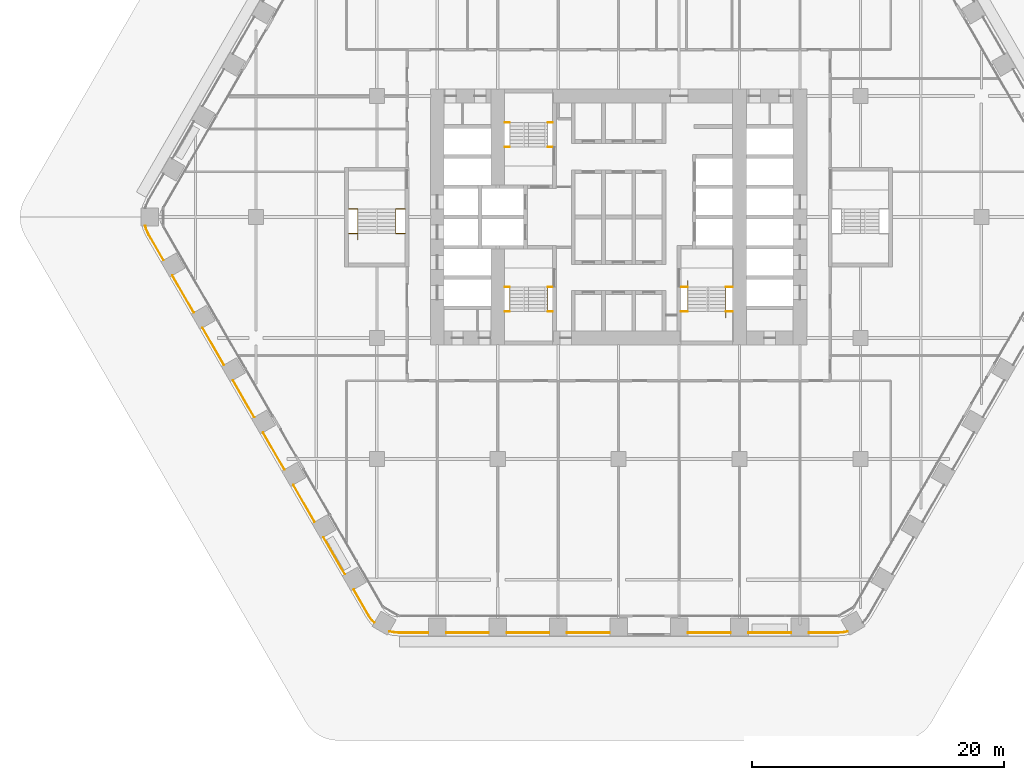
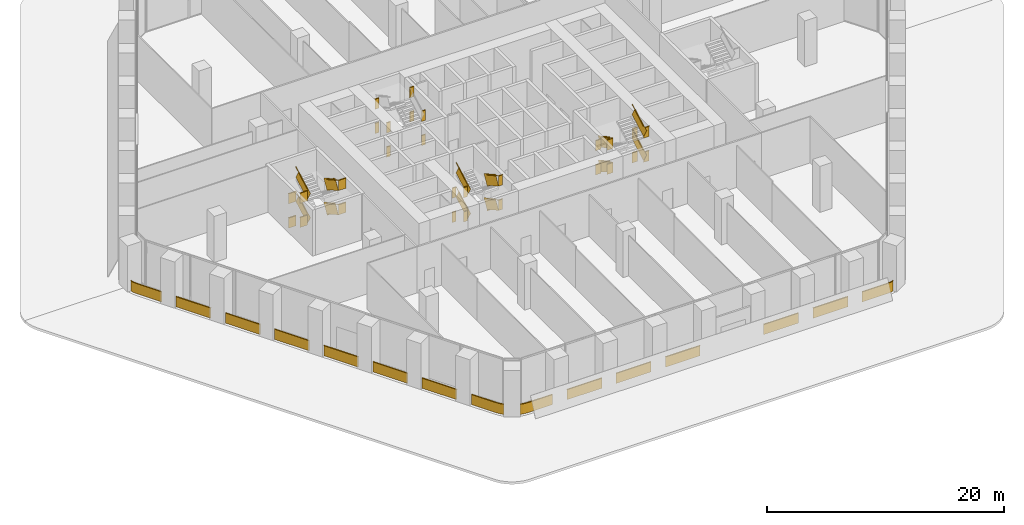
# One storey, part 28 of 29: 9 railings.
"""IFC4 building model written with IfcOpenShell, lengths in metres."""

from ifc_helpers import new_model, si_unit, direction, frame, frame_2d, origin, origin_2d, place, context, subcontext, project, spatial, rectangle, extrude, material, type_object, element, save


model = new_model("IFC4")

# Units and contexts
model_context = context("Model", 3, precision=1e-05, world=origin(), true_north=direction((0.0, 1.0)))
body_context = subcontext(model_context, "Body", "Model", "MODEL_VIEW")
ifc_project = project(units=[si_unit("LENGTHUNIT", "METRE"), si_unit("AREAUNIT", "SQUARE_METRE"), si_unit("VOLUMEUNIT", "CUBIC_METRE"), si_unit("PLANEANGLEUNIT", "RADIAN"), si_unit("MASSUNIT", "GRAM", prefix="KILO")], contexts=[model_context])

# Site, building, storey
site_placement = place(None, origin())
site = spatial("IfcSite", under=ifc_project, at=site_placement, CompositionType="ELEMENT")
building_placement = place(site_placement, origin())
building = spatial("IfcBuilding", under=site, at=building_placement, Name="Kolab Exchange Tower", CompositionType="ELEMENT")
storey_placement = place(building_placement, frame((0.0, 0.0, 17.39990234375)))
storey = spatial("IfcBuildingStorey", under=building, at=storey_placement, Name="L03", CompositionType="ELEMENT", Elevation=17.39990234375)

# Railings
ifc_material_1 = material(Name="Stainless steel 316", Category="steel")
railing_type_1 = type_object("IfcRailingType", Name="GUARD 1100", PredefinedType="GUARDRAIL", material=ifc_material_1)
railing_1_placement = place(storey_placement, frame((-9.050048828125, 5.550048828125, 0.0)))
element("IfcRailing", 1, at=railing_1_placement, inside=storey, type_object=railing_type_1, Name="Guard ST1", PredefinedType="GUARDRAIL", context=body_context, shape_type="SweptSolid", body=[
    extrude(rectangle(XDim=0.05, YDim=0.05, at=origin_2d()), frame((0.0, 0.0, 1.0751953125), z_axis=(1.0, 0.0, 0.0), x_axis=(0.0, 1.0, 0.0)), (0.0, 0.0, 1.0), 0.39013671875),
    extrude(rectangle(XDim=0.012, YDim=1.05009765625, at=frame_2d((0.0, 0.525146484375))), frame((0.0, 0.0, 0.0), z_axis=(1.0, 0.0, 0.0), x_axis=(0.0, 1.0, 0.0)), (0.0, 0.0, 1.0), 0.39013671875),
    extrude(rectangle(XDim=0.05, YDim=0.05, at=origin_2d()), frame((3.41015625, 0.0, 1.0751953125), z_axis=(1.0, 0.0, 0.0), x_axis=(0.0, 1.0, 0.0)), (0.0, 0.0, 1.0), 0.389892578125),
    extrude(rectangle(XDim=0.012, YDim=1.05009765625, at=frame_2d((0.0, 0.525146484375))), frame((3.41015625, 0.0, 0.0), z_axis=(1.0, 0.0, 0.0), x_axis=(0.0, 1.0, 0.0)), (0.0, 0.0, 1.0), 0.389892578125),
    extrude(rectangle(XDim=0.05, YDim=0.05, at=origin_2d()), frame((0.0, 1.9599609375, 2.3251953125), z_axis=(1.0, 0.0, 0.0), x_axis=(0.0, 1.0, 0.0)), (0.0, 0.0, 1.0), 0.39013671875),
    extrude(rectangle(XDim=0.012, YDim=1.05009765625, at=frame_2d((0.0, 0.525146484375))), frame((0.0, 1.9599609375, 1.25), z_axis=(1.0, 0.0, 0.0), x_axis=(0.0, 1.0, 0.0)), (0.0, 0.0, 1.0), 0.39013671875),
    extrude(rectangle(XDim=0.05, YDim=0.05, at=origin_2d()), frame((3.41015625, 1.9599609375, 2.3251953125), z_axis=(1.0, 0.0, 0.0), x_axis=(0.0, 1.0, 0.0)), (0.0, 0.0, 1.0), 0.389892578125),
    extrude(rectangle(XDim=0.012, YDim=1.05009765625, at=frame_2d((0.0, 0.525146484375))), frame((3.41015625, 1.9599609375, 1.25), z_axis=(1.0, 0.0, 0.0), x_axis=(0.0, 1.0, 0.0)), (0.0, 0.0, 1.0), 0.389892578125),
    extrude(rectangle(XDim=0.05, YDim=0.05, at=origin_2d()), frame((0.0, 0.0, 3.5751953125), z_axis=(1.0, 0.0, 0.0), x_axis=(0.0, 1.0, 0.0)), (0.0, 0.0, 1.0), 0.39013671875),
    extrude(rectangle(XDim=0.012, YDim=1.05009765625, at=frame_2d((0.0, 0.525146484375))), frame((0.0, 0.0, 2.5), z_axis=(1.0, 0.0, 0.0), x_axis=(0.0, 1.0, 0.0)), (0.0, 0.0, 1.0), 0.39013671875),
    extrude(rectangle(XDim=0.05, YDim=0.05, at=origin_2d()), frame((3.41015625, 0.0, 3.5751953125), z_axis=(1.0, 0.0, 0.0), x_axis=(0.0, 1.0, 0.0)), (0.0, 0.0, 1.0), 0.389892578125),
    extrude(rectangle(XDim=0.012, YDim=1.05009765625, at=frame_2d((0.0, 0.525146484375))), frame((3.41015625, 0.0, 2.5), z_axis=(1.0, 0.0, 0.0), x_axis=(0.0, 1.0, 0.0)), (0.0, 0.0, 1.0), 0.389892578125),
    extrude(rectangle(XDim=0.05, YDim=0.05, at=origin_2d()), frame((0.0, 1.9599609375, 4.8251953125), z_axis=(1.0, 0.0, 0.0), x_axis=(0.0, 1.0, 0.0)), (0.0, 0.0, 1.0), 0.39013671875),
    extrude(rectangle(XDim=0.012, YDim=1.05009765625, at=frame_2d((0.0, 0.525146484375))), frame((0.0, 1.9599609375, 3.75), z_axis=(1.0, 0.0, 0.0), x_axis=(0.0, 1.0, 0.0)), (0.0, 0.0, 1.0), 0.39013671875),
    extrude(rectangle(XDim=0.05, YDim=0.05, at=origin_2d()), frame((3.41015625, 1.9599609375, 4.8251953125), z_axis=(1.0, 0.0, 0.0), x_axis=(0.0, 1.0, 0.0)), (0.0, 0.0, 1.0), 0.389892578125),
    extrude(rectangle(XDim=0.012, YDim=1.05009765625, at=frame_2d((0.0, 0.525146484375))), frame((3.41015625, 1.9599609375, 3.75), z_axis=(1.0, 0.0, 0.0), x_axis=(0.0, 1.0, 0.0)), (0.0, 0.0, 1.0), 0.389892578125),
])
railing_2_placement = place(storey_placement, frame((-9.050048828125, -5.550048828125, 0.0)))
element("IfcRailing", 2, at=railing_2_placement, inside=storey, type_object=railing_type_1, Name="Guard ST3", PredefinedType="GUARDRAIL", context=body_context, shape_type="SweptSolid", body=[
    extrude(rectangle(XDim=0.05, YDim=0.05, at=origin_2d()), frame((0.0, 0.0, 1.0751953125), z_axis=(1.0, 0.0, 0.0), x_axis=(0.0, 1.0, 0.0)), (0.0, 0.0, 1.0), 0.39013671875),
    extrude(rectangle(XDim=0.012, YDim=1.05009765625, at=frame_2d((0.0, 0.525146484375))), frame((0.0, 0.0, 0.0), z_axis=(1.0, 0.0, 0.0), x_axis=(0.0, 1.0, 0.0)), (0.0, 0.0, 1.0), 0.39013671875),
    extrude(rectangle(XDim=0.05, YDim=0.05, at=origin_2d()), frame((3.41015625, 0.0, 1.0751953125), z_axis=(1.0, 0.0, 0.0), x_axis=(0.0, 1.0, 0.0)), (0.0, 0.0, 1.0), 0.389892578125),
    extrude(rectangle(XDim=0.012, YDim=1.05009765625, at=frame_2d((0.0, 0.525146484375))), frame((3.41015625, 0.0, 0.0), z_axis=(1.0, 0.0, 0.0), x_axis=(0.0, 1.0, 0.0)), (0.0, 0.0, 1.0), 0.389892578125),
    extrude(rectangle(XDim=0.05, YDim=0.05, at=origin_2d()), frame((0.0, -1.9599609375, 2.3251953125), z_axis=(1.0, 0.0, 0.0), x_axis=(0.0, 1.0, 0.0)), (0.0, 0.0, 1.0), 0.39013671875),
    extrude(rectangle(XDim=0.012, YDim=1.05009765625, at=frame_2d((0.0, 0.525146484375))), frame((0.0, -1.9599609375, 1.25), z_axis=(1.0, 0.0, 0.0), x_axis=(0.0, 1.0, 0.0)), (0.0, 0.0, 1.0), 0.39013671875),
    extrude(rectangle(XDim=0.05, YDim=0.05, at=origin_2d()), frame((3.41015625, -1.9599609375, 2.3251953125), z_axis=(1.0, 0.0, 0.0), x_axis=(0.0, 1.0, 0.0)), (0.0, 0.0, 1.0), 0.389892578125),
    extrude(rectangle(XDim=0.012, YDim=1.05009765625, at=frame_2d((0.0, 0.525146484375))), frame((3.41015625, -1.9599609375, 1.25), z_axis=(1.0, 0.0, 0.0), x_axis=(0.0, 1.0, 0.0)), (0.0, 0.0, 1.0), 0.389892578125),
    extrude(rectangle(XDim=0.05, YDim=0.05, at=origin_2d()), frame((0.0, 0.0, 3.5751953125), z_axis=(1.0, 0.0, 0.0), x_axis=(0.0, 1.0, 0.0)), (0.0, 0.0, 1.0), 0.39013671875),
    extrude(rectangle(XDim=0.012, YDim=1.05009765625, at=frame_2d((0.0, 0.525146484375))), frame((0.0, 0.0, 2.5), z_axis=(1.0, 0.0, 0.0), x_axis=(0.0, 1.0, 0.0)), (0.0, 0.0, 1.0), 0.39013671875),
    extrude(rectangle(XDim=0.05, YDim=0.05, at=origin_2d()), frame((3.41015625, 0.0, 3.5751953125), z_axis=(1.0, 0.0, 0.0), x_axis=(0.0, 1.0, 0.0)), (0.0, 0.0, 1.0), 0.389892578125),
    extrude(rectangle(XDim=0.012, YDim=1.05009765625, at=frame_2d((0.0, 0.525146484375))), frame((3.41015625, 0.0, 2.5), z_axis=(1.0, 0.0, 0.0), x_axis=(0.0, 1.0, 0.0)), (0.0, 0.0, 1.0), 0.389892578125),
    extrude(rectangle(XDim=0.05, YDim=0.05, at=origin_2d()), frame((0.0, -1.9599609375, 4.8251953125), z_axis=(1.0, 0.0, 0.0), x_axis=(0.0, 1.0, 0.0)), (0.0, 0.0, 1.0), 0.39013671875),
    extrude(rectangle(XDim=0.012, YDim=1.05009765625, at=frame_2d((0.0, 0.525146484375))), frame((0.0, -1.9599609375, 3.75), z_axis=(1.0, 0.0, 0.0), x_axis=(0.0, 1.0, 0.0)), (0.0, 0.0, 1.0), 0.39013671875),
    extrude(rectangle(XDim=0.05, YDim=0.05, at=origin_2d()), frame((3.41015625, -1.9599609375, 4.8251953125), z_axis=(1.0, 0.0, 0.0), x_axis=(0.0, 1.0, 0.0)), (0.0, 0.0, 1.0), 0.389892578125),
    extrude(rectangle(XDim=0.012, YDim=1.05009765625, at=frame_2d((0.0, 0.525146484375))), frame((3.41015625, -1.9599609375, 3.75), z_axis=(1.0, 0.0, 0.0), x_axis=(0.0, 1.0, 0.0)), (0.0, 0.0, 1.0), 0.389892578125),
])
railing_3_placement = place(storey_placement, frame((-5.639892578125, -5.550048828125, 0.15625)))
element("IfcRailing", 3, at=railing_3_placement, inside=storey, type_object=railing_type_1, Name="Handrail guard ST3", PredefinedType="GUARDRAIL", context=body_context, shape_type="SweptSolid", body=[
    extrude(rectangle(XDim=0.05, YDim=0.05, at=origin_2d()), frame((0.0, 0.0, 1.0751953125), z_axis=(0.0, -0.873232148454, 0.487304437602), x_axis=(1.0, 0.0, 0.0)), (0.0, 0.0, 1.0), 2.244384765625),
    extrude(rectangle(XDim=0.012, YDim=1.05009765625, at=frame_2d((0.0, 0.525146484375))), frame((0.0, 0.0, 0.0), z_axis=(0.0, -0.873232148454, 0.487304437602), x_axis=(1.0, 0.0, 0.0)), (0.0, 0.0, 1.0), 2.244384765625),
    extrude(rectangle(XDim=0.05, YDim=0.05, at=origin_2d()), frame((-3.02001953125, -1.9599609375, 2.3251953125), z_axis=(0.0, 0.873232148454, 0.487304437602), x_axis=(-1.0, 0.0, 0.0)), (0.0, 0.0, 1.0), 2.244384765625),
    extrude(rectangle(XDim=0.012, YDim=1.05009765625, at=frame_2d((0.0, 0.525146484375))), frame((-3.02001953125, -1.9599609375, 1.25), z_axis=(0.0, 0.873232148454, 0.487304437602), x_axis=(-1.0, 0.0, 0.0)), (0.0, 0.0, 1.0), 2.244384765625),
    extrude(rectangle(XDim=0.05, YDim=0.05, at=origin_2d()), frame((0.0, 0.0, 3.5751953125), z_axis=(0.0, -0.873232148454, 0.487304437602), x_axis=(1.0, 0.0, 0.0)), (0.0, 0.0, 1.0), 2.244384765625),
    extrude(rectangle(XDim=0.012, YDim=1.05009765625, at=frame_2d((0.0, 0.525146484375))), frame((0.0, 0.0, 2.5), z_axis=(0.0, -0.873232148454, 0.487304437602), x_axis=(1.0, 0.0, 0.0)), (0.0, 0.0, 1.0), 2.244384765625),
    extrude(rectangle(XDim=0.05, YDim=0.05, at=origin_2d()), frame((-3.02001953125, -1.9599609375, 4.8251953125), z_axis=(0.0, 0.873232148454, 0.487304437602), x_axis=(-1.0, 0.0, 0.0)), (0.0, 0.0, 1.0), 2.244384765625),
    extrude(rectangle(XDim=0.012, YDim=1.05009765625, at=frame_2d((0.0, 0.525146484375))), frame((-3.02001953125, -1.9599609375, 3.75), z_axis=(0.0, 0.873232148454, 0.487304437602), x_axis=(-1.0, 0.0, 0.0)), (0.0, 0.0, 1.0), 2.244384765625),
])
railing_4_placement = place(storey_placement, frame((4.949951171875, -5.550048828125, 0.0)))
element("IfcRailing", 4, at=railing_4_placement, inside=storey, type_object=railing_type_1, Name="Guard ST2", PredefinedType="GUARDRAIL", context=body_context, shape_type="SweptSolid", body=[
    extrude(rectangle(XDim=0.05, YDim=0.05, at=origin_2d()), frame((0.0, 0.0, 1.0751953125), z_axis=(1.0, 0.0, 0.0), x_axis=(0.0, 1.0, 0.0)), (0.0, 0.0, 1.0), 0.5400390625),
    extrude(rectangle(XDim=0.012, YDim=1.05009765625, at=frame_2d((0.0, 0.525146484375))), frame((0.0, 0.0, 0.0), z_axis=(1.0, 0.0, 0.0), x_axis=(0.0, 1.0, 0.0)), (0.0, 0.0, 1.0), 0.5400390625),
    extrude(rectangle(XDim=0.05, YDim=0.05, at=origin_2d()), frame((3.56005859375, 0.0, 1.0751953125), z_axis=(1.0, 0.0, 0.0), x_axis=(0.0, 1.0, 0.0)), (0.0, 0.0, 1.0), 0.5400390625),
    extrude(rectangle(XDim=0.012, YDim=1.05009765625, at=frame_2d((0.0, 0.525146484375))), frame((3.56005859375, 0.0, 0.0), z_axis=(1.0, 0.0, 0.0), x_axis=(0.0, 1.0, 0.0)), (0.0, 0.0, 1.0), 0.5400390625),
    extrude(rectangle(XDim=0.05, YDim=0.05, at=origin_2d()), frame((0.0, -1.9599609375, 2.3251953125), z_axis=(1.0, 0.0, 0.0), x_axis=(0.0, 1.0, 0.0)), (0.0, 0.0, 1.0), 0.5400390625),
    extrude(rectangle(XDim=0.012, YDim=1.05009765625, at=frame_2d((0.0, 0.525146484375))), frame((0.0, -1.9599609375, 1.25), z_axis=(1.0, 0.0, 0.0), x_axis=(0.0, 1.0, 0.0)), (0.0, 0.0, 1.0), 0.5400390625),
    extrude(rectangle(XDim=0.05, YDim=0.05, at=origin_2d()), frame((3.56005859375, -1.9599609375, 2.3251953125), z_axis=(1.0, 0.0, 0.0), x_axis=(0.0, 1.0, 0.0)), (0.0, 0.0, 1.0), 0.5400390625),
    extrude(rectangle(XDim=0.012, YDim=1.05009765625, at=frame_2d((0.0, 0.525146484375))), frame((3.56005859375, -1.9599609375, 1.25), z_axis=(1.0, 0.0, 0.0), x_axis=(0.0, 1.0, 0.0)), (0.0, 0.0, 1.0), 0.5400390625),
    extrude(rectangle(XDim=0.05, YDim=0.05, at=origin_2d()), frame((0.0, 0.0, 3.5751953125), z_axis=(1.0, 0.0, 0.0), x_axis=(0.0, 1.0, 0.0)), (0.0, 0.0, 1.0), 0.5400390625),
    extrude(rectangle(XDim=0.012, YDim=1.05009765625, at=frame_2d((0.0, 0.525146484375))), frame((0.0, 0.0, 2.5), z_axis=(1.0, 0.0, 0.0), x_axis=(0.0, 1.0, 0.0)), (0.0, 0.0, 1.0), 0.5400390625),
    extrude(rectangle(XDim=0.05, YDim=0.05, at=origin_2d()), frame((3.56005859375, 0.0, 3.5751953125), z_axis=(1.0, 0.0, 0.0), x_axis=(0.0, 1.0, 0.0)), (0.0, 0.0, 1.0), 0.5400390625),
    extrude(rectangle(XDim=0.012, YDim=1.05009765625, at=frame_2d((0.0, 0.525146484375))), frame((3.56005859375, 0.0, 2.5), z_axis=(1.0, 0.0, 0.0), x_axis=(0.0, 1.0, 0.0)), (0.0, 0.0, 1.0), 0.5400390625),
    extrude(rectangle(XDim=0.05, YDim=0.05, at=origin_2d()), frame((0.0, -1.9599609375, 4.8251953125), z_axis=(1.0, 0.0, 0.0), x_axis=(0.0, 1.0, 0.0)), (0.0, 0.0, 1.0), 0.5400390625),
    extrude(rectangle(XDim=0.012, YDim=1.05009765625, at=frame_2d((0.0, 0.525146484375))), frame((0.0, -1.9599609375, 3.75), z_axis=(1.0, 0.0, 0.0), x_axis=(0.0, 1.0, 0.0)), (0.0, 0.0, 1.0), 0.5400390625),
    extrude(rectangle(XDim=0.05, YDim=0.05, at=origin_2d()), frame((3.56005859375, -1.9599609375, 4.8251953125), z_axis=(1.0, 0.0, 0.0), x_axis=(0.0, 1.0, 0.0)), (0.0, 0.0, 1.0), 0.5400390625),
    extrude(rectangle(XDim=0.012, YDim=1.05009765625, at=frame_2d((0.0, 0.525146484375))), frame((3.56005859375, -1.9599609375, 3.75), z_axis=(1.0, 0.0, 0.0), x_axis=(0.0, 1.0, 0.0)), (0.0, 0.0, 1.0), 0.5400390625),
])
railing_5_placement = place(storey_placement, frame((5.489990234375, -5.550048828125, 0.15625)))
element("IfcRailing", 5, at=railing_5_placement, inside=storey, type_object=railing_type_1, Name="Handrail guard ST2", PredefinedType="GUARDRAIL", context=body_context, shape_type="SweptSolid", body=[
    extrude(rectangle(XDim=0.05, YDim=0.05, at=origin_2d()), frame((0.0, 0.0, 1.0751953125), z_axis=(0.0, -0.873232148454, 0.487304437602), x_axis=(1.0, 0.0, 0.0)), (0.0, 0.0, 1.0), 2.244384765625),
    extrude(rectangle(XDim=0.012, YDim=1.05009765625, at=frame_2d((0.0, 0.525146484375))), frame((0.0, 0.0, 0.0), z_axis=(0.0, -0.873232148454, 0.487304437602), x_axis=(1.0, 0.0, 0.0)), (0.0, 0.0, 1.0), 2.244384765625),
    extrude(rectangle(XDim=0.05, YDim=0.05, at=origin_2d()), frame((3.02001953125, -1.9599609375, 2.3251953125), z_axis=(0.0, 0.873232148454, 0.487304437602), x_axis=(-1.0, 0.0, 0.0)), (0.0, 0.0, 1.0), 2.244384765625),
    extrude(rectangle(XDim=0.012, YDim=1.05009765625, at=frame_2d((0.0, 0.525146484375))), frame((3.02001953125, -1.9599609375, 1.25), z_axis=(0.0, 0.873232148454, 0.487304437602), x_axis=(-1.0, 0.0, 0.0)), (0.0, 0.0, 1.0), 2.244384765625),
    extrude(rectangle(XDim=0.05, YDim=0.05, at=origin_2d()), frame((0.0, 0.0, 3.5751953125), z_axis=(0.0, -0.873232148454, 0.487304437602), x_axis=(1.0, 0.0, 0.0)), (0.0, 0.0, 1.0), 2.244384765625),
    extrude(rectangle(XDim=0.012, YDim=1.05009765625, at=frame_2d((0.0, 0.525146484375))), frame((0.0, 0.0, 2.5), z_axis=(0.0, -0.873232148454, 0.487304437602), x_axis=(1.0, 0.0, 0.0)), (0.0, 0.0, 1.0), 2.244384765625),
    extrude(rectangle(XDim=0.05, YDim=0.05, at=origin_2d()), frame((3.02001953125, -1.9599609375, 4.8251953125), z_axis=(0.0, 0.873232148454, 0.487304437602), x_axis=(-1.0, 0.0, 0.0)), (0.0, 0.0, 1.0), 2.244384765625),
    extrude(rectangle(XDim=0.012, YDim=1.05009765625, at=frame_2d((0.0, 0.525146484375))), frame((3.02001953125, -1.9599609375, 3.75), z_axis=(0.0, 0.873232148454, 0.487304437602), x_axis=(-1.0, 0.0, 0.0)), (0.0, 0.0, 1.0), 2.244384765625),
])
railing_6_placement = place(storey_placement, frame((-21.449951171875, 0.64990234375, 0.0)))
element("IfcRailing", 6, at=railing_6_placement, inside=storey, type_object=railing_type_1, Name="Guard ST5", PredefinedType="GUARDRAIL", context=body_context, shape_type="SweptSolid", body=[
    extrude(rectangle(XDim=0.05, YDim=0.05, at=origin_2d()), frame((0.0, 0.0, 1.0751953125), z_axis=(1.0, 0.0, 0.0), x_axis=(0.0, 1.0, 0.0)), (0.0, 0.0, 1.0), 0.739990234375),
    extrude(rectangle(XDim=0.012, YDim=1.05009765625, at=frame_2d((0.0, 0.525146484375))), frame((0.0, 0.0, 0.0), z_axis=(1.0, 0.0, 0.0), x_axis=(0.0, 1.0, 0.0)), (0.0, 0.0, 1.0), 0.739990234375),
    extrude(rectangle(XDim=0.05, YDim=0.05, at=origin_2d()), frame((3.760009765625, 0.0, 1.0751953125), z_axis=(1.0, 0.0, 0.0), x_axis=(0.0, 1.0, 0.0)), (0.0, 0.0, 1.0), 0.739990234375),
    extrude(rectangle(XDim=0.012, YDim=1.05009765625, at=frame_2d((0.0, 0.525146484375))), frame((3.760009765625, 0.0, 0.0), z_axis=(1.0, 0.0, 0.0), x_axis=(0.0, 1.0, 0.0)), (0.0, 0.0, 1.0), 0.739990234375),
    extrude(rectangle(XDim=0.05, YDim=0.05, at=origin_2d()), frame((0.0, -1.9599609375, 2.3251953125), z_axis=(1.0, 0.0, 0.0), x_axis=(0.0, 1.0, 0.0)), (0.0, 0.0, 1.0), 0.739990234375),
    extrude(rectangle(XDim=0.012, YDim=1.05009765625, at=frame_2d((0.0, 0.525146484375))), frame((0.0, -1.9599609375, 1.25), z_axis=(1.0, 0.0, 0.0), x_axis=(0.0, 1.0, 0.0)), (0.0, 0.0, 1.0), 0.739990234375),
    extrude(rectangle(XDim=0.05, YDim=0.05, at=origin_2d()), frame((3.760009765625, -1.9599609375, 2.3251953125), z_axis=(1.0, 0.0, 0.0), x_axis=(0.0, 1.0, 0.0)), (0.0, 0.0, 1.0), 0.739990234375),
    extrude(rectangle(XDim=0.012, YDim=1.05009765625, at=frame_2d((0.0, 0.525146484375))), frame((3.760009765625, -1.9599609375, 1.25), z_axis=(1.0, 0.0, 0.0), x_axis=(0.0, 1.0, 0.0)), (0.0, 0.0, 1.0), 0.739990234375),
    extrude(rectangle(XDim=0.05, YDim=0.05, at=origin_2d()), frame((0.0, 0.0, 3.5751953125), z_axis=(1.0, 0.0, 0.0), x_axis=(0.0, 1.0, 0.0)), (0.0, 0.0, 1.0), 0.739990234375),
    extrude(rectangle(XDim=0.012, YDim=1.05009765625, at=frame_2d((0.0, 0.525146484375))), frame((0.0, 0.0, 2.5), z_axis=(1.0, 0.0, 0.0), x_axis=(0.0, 1.0, 0.0)), (0.0, 0.0, 1.0), 0.739990234375),
    extrude(rectangle(XDim=0.05, YDim=0.05, at=origin_2d()), frame((3.760009765625, 0.0, 3.5751953125), z_axis=(1.0, 0.0, 0.0), x_axis=(0.0, 1.0, 0.0)), (0.0, 0.0, 1.0), 0.739990234375),
    extrude(rectangle(XDim=0.012, YDim=1.05009765625, at=frame_2d((0.0, 0.525146484375))), frame((3.760009765625, 0.0, 2.5), z_axis=(1.0, 0.0, 0.0), x_axis=(0.0, 1.0, 0.0)), (0.0, 0.0, 1.0), 0.739990234375),
    extrude(rectangle(XDim=0.05, YDim=0.05, at=origin_2d()), frame((0.0, -1.9599609375, 4.8251953125), z_axis=(1.0, 0.0, 0.0), x_axis=(0.0, 1.0, 0.0)), (0.0, 0.0, 1.0), 0.739990234375),
    extrude(rectangle(XDim=0.012, YDim=1.05009765625, at=frame_2d((0.0, 0.525146484375))), frame((0.0, -1.9599609375, 3.75), z_axis=(1.0, 0.0, 0.0), x_axis=(0.0, 1.0, 0.0)), (0.0, 0.0, 1.0), 0.739990234375),
    extrude(rectangle(XDim=0.05, YDim=0.05, at=origin_2d()), frame((3.760009765625, -1.9599609375, 4.8251953125), z_axis=(1.0, 0.0, 0.0), x_axis=(0.0, 1.0, 0.0)), (0.0, 0.0, 1.0), 0.739990234375),
    extrude(rectangle(XDim=0.012, YDim=1.05009765625, at=frame_2d((0.0, 0.525146484375))), frame((3.760009765625, -1.9599609375, 3.75), z_axis=(1.0, 0.0, 0.0), x_axis=(0.0, 1.0, 0.0)), (0.0, 0.0, 1.0), 0.739990234375),
])
railing_7_placement = place(storey_placement, frame((-17.68994140625, 0.64990234375, 0.15625)))
element("IfcRailing", 7, at=railing_7_placement, inside=storey, type_object=railing_type_1, Name="Handrail guard ST5", PredefinedType="GUARDRAIL", context=body_context, shape_type="SweptSolid", body=[
    extrude(rectangle(XDim=0.05, YDim=0.05, at=origin_2d()), frame((0.0, 0.0, 1.0751953125), z_axis=(0.0, -0.873232148454, 0.487304437602), x_axis=(1.0, 0.0, 0.0)), (0.0, 0.0, 1.0), 2.244384765625),
    extrude(rectangle(XDim=0.012, YDim=1.05009765625, at=frame_2d((0.0, 0.525146484375))), frame((0.0, 0.0, 0.0), z_axis=(0.0, -0.873232148454, 0.487304437602), x_axis=(1.0, 0.0, 0.0)), (0.0, 0.0, 1.0), 2.244384765625),
    extrude(rectangle(XDim=0.05, YDim=0.05, at=origin_2d()), frame((-3.02001953125, -1.9599609375, 2.3251953125), z_axis=(0.0, 0.873232148454, 0.487304437602), x_axis=(-1.0, 0.0, 0.0)), (0.0, 0.0, 1.0), 2.244384765625),
    extrude(rectangle(XDim=0.012, YDim=1.05009765625, at=frame_2d((0.0, 0.525146484375))), frame((-3.02001953125, -1.9599609375, 1.25), z_axis=(0.0, 0.873232148454, 0.487304437602), x_axis=(-1.0, 0.0, 0.0)), (0.0, 0.0, 1.0), 2.244384765625),
    extrude(rectangle(XDim=0.05, YDim=0.05, at=origin_2d()), frame((0.0, 0.0, 3.5751953125), z_axis=(0.0, -0.873232148454, 0.487304437602), x_axis=(1.0, 0.0, 0.0)), (0.0, 0.0, 1.0), 2.244384765625),
    extrude(rectangle(XDim=0.012, YDim=1.05009765625, at=frame_2d((0.0, 0.525146484375))), frame((0.0, 0.0, 2.5), z_axis=(0.0, -0.873232148454, 0.487304437602), x_axis=(1.0, 0.0, 0.0)), (0.0, 0.0, 1.0), 2.244384765625),
    extrude(rectangle(XDim=0.05, YDim=0.05, at=origin_2d()), frame((-3.02001953125, -1.9599609375, 4.8251953125), z_axis=(0.0, 0.873232148454, 0.487304437602), x_axis=(-1.0, 0.0, 0.0)), (0.0, 0.0, 1.0), 2.244384765625),
    extrude(rectangle(XDim=0.012, YDim=1.05009765625, at=frame_2d((0.0, 0.525146484375))), frame((-3.02001953125, -1.9599609375, 3.75), z_axis=(0.0, 0.873232148454, 0.487304437602), x_axis=(-1.0, 0.0, 0.0)), (0.0, 0.0, 1.0), 2.244384765625),
])
ifc_material_2 = material(Name="Steel S235", Category="steel")
railing_type_2 = type_object("IfcRailingType", Name="GUARD 1100 GLASS BALUSTRADE AND STEEL TOP RAIL", PredefinedType="GUARDRAIL", material=ifc_material_2)
railing_8_placement = place(storey_placement, frame((-18.1953125, -32.896728515625, 0.0)))
element("IfcRailing", 8, at=railing_8_placement, inside=storey, type_object=railing_type_2, Name="Guard", PredefinedType="GUARDRAIL", context=body_context, shape_type="SweptSolid", body=[
    extrude(rectangle(XDim=0.05, YDim=0.05, at=origin_2d()), frame((0.0, 0.0, 1.0751953125), z_axis=(0.965952265455, -0.258720352624, 0.0), x_axis=(0.258720352624, 0.965952265455, 0.0)), (0.0, 0.0, 1.0), 0.258544921875),
    extrude(rectangle(XDim=0.012, YDim=1.05009765625, at=frame_2d((0.0, 0.525146484375))), frame((0.0, 0.0, 0.0), z_axis=(0.965952265455, -0.258720352624, 0.0), x_axis=(0.258720352624, 0.965952265455, 0.0)), (0.0, 0.0, 1.0), 0.258544921875),
    extrude(rectangle(XDim=0.05, YDim=0.05, at=origin_2d()), frame((0.249755859375, -0.06689453125, 1.0751953125), z_axis=(0.996200348447, -0.087091134757, 0.0), x_axis=(0.087091134757, 0.996200348447, 0.0)), (0.0, 0.0, 1.0), 0.479248046875),
    extrude(rectangle(XDim=0.012, YDim=1.05009765625, at=frame_2d((0.0, 0.525146484375))), frame((0.249755859375, -0.06689453125, 0.0), z_axis=(0.996200348447, -0.087091134757, 0.0), x_axis=(0.087091134757, 0.996200348447, 0.0)), (0.0, 0.0, 1.0), 0.479248046875),
    extrude(rectangle(XDim=0.05, YDim=0.05, at=origin_2d()), frame((0.727294921875, -0.108642578125, 1.0751953125), z_axis=(1.0, 0.0, 0.0), x_axis=(0.0, 1.0, 0.0)), (0.0, 0.0, 1.0), 2.367919921875),
    extrude(rectangle(XDim=0.012, YDim=1.05009765625, at=frame_2d((0.0, 0.525146484375))), frame((0.727294921875, -0.108642578125, 0.0), z_axis=(1.0, 0.0, 0.0), x_axis=(0.0, 1.0, 0.0)), (0.0, 0.0, 1.0), 2.367919921875),
    extrude(rectangle(XDim=0.05, YDim=0.05, at=origin_2d()), frame((4.495361328125, -0.108642578125, 1.0751953125), z_axis=(1.0, 0.0, 0.0), x_axis=(0.0, 1.0, 0.0)), (0.0, 0.0, 1.0), 3.39990234375),
    extrude(rectangle(XDim=0.012, YDim=1.05009765625, at=frame_2d((0.0, 0.525146484375))), frame((4.495361328125, -0.108642578125, 0.0), z_axis=(1.0, 0.0, 0.0), x_axis=(0.0, 1.0, 0.0)), (0.0, 0.0, 1.0), 3.39990234375),
    extrude(rectangle(XDim=0.05, YDim=0.05, at=origin_2d()), frame((9.29541015625, -0.108642578125, 1.0751953125), z_axis=(1.0, 0.0, 0.0), x_axis=(0.0, 1.0, 0.0)), (0.0, 0.0, 1.0), 3.39990234375),
    extrude(rectangle(XDim=0.012, YDim=1.05009765625, at=frame_2d((0.0, 0.525146484375))), frame((9.29541015625, -0.108642578125, 0.0), z_axis=(1.0, 0.0, 0.0), x_axis=(0.0, 1.0, 0.0)), (0.0, 0.0, 1.0), 3.39990234375),
    extrude(rectangle(XDim=0.05, YDim=0.05, at=origin_2d()), frame((14.09521484375, -0.108642578125, 1.0751953125), z_axis=(1.0, 0.0, 0.0), x_axis=(0.0, 1.0, 0.0)), (0.0, 0.0, 1.0), 3.400146484375),
    extrude(rectangle(XDim=0.012, YDim=1.05009765625, at=frame_2d((0.0, 0.525146484375))), frame((14.09521484375, -0.108642578125, 0.0), z_axis=(1.0, 0.0, 0.0), x_axis=(0.0, 1.0, 0.0)), (0.0, 0.0, 1.0), 3.400146484375),
    extrude(rectangle(XDim=0.05, YDim=0.05, at=origin_2d()), frame((23.6953125, -0.108642578125, 1.0751953125), z_axis=(1.0, 0.0, 0.0), x_axis=(0.0, 1.0, 0.0)), (0.0, 0.0, 1.0), 3.39990234375),
    extrude(rectangle(XDim=0.012, YDim=1.05009765625, at=frame_2d((0.0, 0.525146484375))), frame((23.6953125, -0.108642578125, 0.0), z_axis=(1.0, 0.0, 0.0), x_axis=(0.0, 1.0, 0.0)), (0.0, 0.0, 1.0), 3.39990234375),
    extrude(rectangle(XDim=0.05, YDim=0.05, at=origin_2d()), frame((28.495361328125, -0.108642578125, 1.0751953125), z_axis=(1.0, 0.0, 0.0), x_axis=(0.0, 1.0, 0.0)), (0.0, 0.0, 1.0), 3.39990234375),
    extrude(rectangle(XDim=0.012, YDim=1.05009765625, at=frame_2d((0.0, 0.525146484375))), frame((28.495361328125, -0.108642578125, 0.0), z_axis=(1.0, 0.0, 0.0), x_axis=(0.0, 1.0, 0.0)), (0.0, 0.0, 1.0), 3.39990234375),
    extrude(rectangle(XDim=0.05, YDim=0.05, at=origin_2d()), frame((33.29541015625, -0.108642578125, 1.0751953125), z_axis=(1.0, 0.0, 0.0), x_axis=(0.0, 1.0, 0.0)), (0.0, 0.0, 1.0), 2.367919921875),
    extrude(rectangle(XDim=0.012, YDim=1.05009765625, at=frame_2d((0.0, 0.525146484375))), frame((33.29541015625, -0.108642578125, 0.0), z_axis=(1.0, 0.0, 0.0), x_axis=(0.0, 1.0, 0.0)), (0.0, 0.0, 1.0), 2.367919921875),
    extrude(rectangle(XDim=0.05, YDim=0.05, at=origin_2d()), frame((35.663330078125, -0.108642578125, 1.0751953125), z_axis=(0.996200348447, 0.087091134757, 0.0), x_axis=(-0.087091134757, 0.996200348447, 0.0)), (0.0, 0.0, 1.0), 0.479248046875),
    extrude(rectangle(XDim=0.012, YDim=1.05009765625, at=frame_2d((0.0, 0.525146484375))), frame((35.663330078125, -0.108642578125, 0.0), z_axis=(0.996200348447, 0.087091134757, 0.0), x_axis=(-0.087091134757, 0.996200348447, 0.0)), (0.0, 0.0, 1.0), 0.479248046875),
    extrude(rectangle(XDim=0.05, YDim=0.05, at=origin_2d()), frame((36.140869140625, -0.06689453125, 1.0751953125), z_axis=(0.965952265455, 0.258720352624, 0.0), x_axis=(-0.258720352624, 0.965952265455, 0.0)), (0.0, 0.0, 1.0), 0.258544921875),
    extrude(rectangle(XDim=0.012, YDim=1.05009765625, at=frame_2d((0.0, 0.525146484375))), frame((36.140869140625, -0.06689453125, 0.0), z_axis=(0.965952265455, 0.258720352624, 0.0), x_axis=(-0.258720352624, 0.965952265455, 0.0)), (0.0, 0.0, 1.0), 0.258544921875),
])
railing_9_placement = place(storey_placement, frame((-37.5869140625, -0.690673828125, 0.0)))
element("IfcRailing", 9, at=railing_9_placement, inside=storey, type_object=railing_type_2, Name="Guard", PredefinedType="GUARDRAIL", context=body_context, shape_type="SweptSolid", body=[
    extrude(rectangle(XDim=0.05, YDim=0.05, at=origin_2d()), frame((0.0, 0.0, 1.0751953125), z_axis=(0.258484584798, -0.966015382601, 0.0), x_axis=(0.966015382601, 0.258484584798, 0.0)), (0.0, 0.0, 1.0), 0.2587890625),
    extrude(rectangle(XDim=0.012, YDim=1.05009765625, at=frame_2d((0.0, 0.525146484375))), frame((0.0, 0.0, 0.0), z_axis=(0.258484584798, -0.966015382601, 0.0), x_axis=(0.966015382601, 0.258484584798, 0.0)), (0.0, 0.0, 1.0), 0.2587890625),
    extrude(rectangle(XDim=0.05, YDim=0.05, at=origin_2d()), frame((0.06689453125, -0.25, 1.0751953125), z_axis=(0.422801802984, -0.906222177721, 0.0), x_axis=(0.906222177721, 0.422801802984, 0.0)), (0.0, 0.0, 1.0), 0.479248046875),
    extrude(rectangle(XDim=0.012, YDim=1.05009765625, at=frame_2d((0.0, 0.525146484375))), frame((0.06689453125, -0.25, 0.0), z_axis=(0.422801802984, -0.906222177721, 0.0), x_axis=(0.906222177721, 0.422801802984, 0.0)), (0.0, 0.0, 1.0), 0.479248046875),
    extrude(rectangle(XDim=0.05, YDim=0.05, at=origin_2d()), frame((0.26953125, -0.684326171875, 1.0751953125), z_axis=(0.499942602326, -0.866058539811, 0.0), x_axis=(0.866058539811, 0.499942602326, 0.0)), (0.0, 0.0, 1.0), 2.367919921875),
    extrude(rectangle(XDim=0.012, YDim=1.05009765625, at=frame_2d((0.0, 0.525146484375))), frame((0.26953125, -0.684326171875, 0.0), z_axis=(0.499942602326, -0.866058539811, 0.0), x_axis=(0.866058539811, 0.499942602326, 0.0)), (0.0, 0.0, 1.0), 2.367919921875),
    extrude(rectangle(XDim=0.05, YDim=0.05, at=origin_2d()), frame((2.1533203125, -3.947509765625, 1.0751953125), z_axis=(0.500062241894, -0.865989465428, 0.0), x_axis=(0.865989465428, 0.500062241894, 0.0)), (0.0, 0.0, 1.0), 3.39990234375),
    extrude(rectangle(XDim=0.012, YDim=1.05009765625, at=frame_2d((0.0, 0.525146484375))), frame((2.1533203125, -3.947509765625, 0.0), z_axis=(0.500062241894, -0.865989465428, 0.0), x_axis=(0.865989465428, 0.500062241894, 0.0)), (0.0, 0.0, 1.0), 3.39990234375),
    extrude(rectangle(XDim=0.05, YDim=0.05, at=origin_2d()), frame((4.553466796875, -8.1044921875, 1.0751953125), z_axis=(0.500008388397, -0.866020560687, 0.0), x_axis=(0.866020560687, 0.500008388397, 0.0)), (0.0, 0.0, 1.0), 3.39990234375),
    extrude(rectangle(XDim=0.012, YDim=1.05009765625, at=frame_2d((0.0, 0.525146484375))), frame((4.553466796875, -8.1044921875, 0.0), z_axis=(0.500008388397, -0.866020560687, 0.0), x_axis=(0.866020560687, 0.500008388397, 0.0)), (0.0, 0.0, 1.0), 3.39990234375),
    extrude(rectangle(XDim=0.05, YDim=0.05, at=origin_2d()), frame((6.953369140625, -12.26123046875, 1.0751953125), z_axis=(0.499977295307, -0.866038511948, 0.0), x_axis=(0.866038511948, 0.499977295307, 0.0)), (0.0, 0.0, 1.0), 3.400146484375),
    extrude(rectangle(XDim=0.012, YDim=1.05009765625, at=frame_2d((0.0, 0.525146484375))), frame((6.953369140625, -12.26123046875, 0.0), z_axis=(0.499977295307, -0.866038511948, 0.0), x_axis=(0.866038511948, 0.499977295307, 0.0)), (0.0, 0.0, 1.0), 3.400146484375),
    extrude(rectangle(XDim=0.05, YDim=0.05, at=origin_2d()), frame((9.353515625, -16.418212890625, 1.0751953125), z_axis=(0.499977295307, -0.866038511948, 0.0), x_axis=(0.866038511948, 0.499977295307, 0.0)), (0.0, 0.0, 1.0), 3.400146484375),
    extrude(rectangle(XDim=0.012, YDim=1.05009765625, at=frame_2d((0.0, 0.525146484375))), frame((9.353515625, -16.418212890625, 0.0), z_axis=(0.499977295307, -0.866038511948, 0.0), x_axis=(0.866038511948, 0.499977295307, 0.0)), (0.0, 0.0, 1.0), 3.400146484375),
    extrude(rectangle(XDim=0.05, YDim=0.05, at=origin_2d()), frame((11.75341796875, -20.5751953125, 1.0751953125), z_axis=(0.500008388397, -0.866020560687, 0.0), x_axis=(0.866020560687, 0.500008388397, 0.0)), (0.0, 0.0, 1.0), 3.39990234375),
    extrude(rectangle(XDim=0.012, YDim=1.05009765625, at=frame_2d((0.0, 0.525146484375))), frame((11.75341796875, -20.5751953125, 0.0), z_axis=(0.500008388397, -0.866020560687, 0.0), x_axis=(0.866020560687, 0.500008388397, 0.0)), (0.0, 0.0, 1.0), 3.39990234375),
    extrude(rectangle(XDim=0.05, YDim=0.05, at=origin_2d()), frame((14.1533203125, -24.732177734375, 1.0751953125), z_axis=(0.500062241894, -0.865989465428, 0.0), x_axis=(0.865989465428, 0.500062241894, 0.0)), (0.0, 0.0, 1.0), 3.39990234375),
    extrude(rectangle(XDim=0.012, YDim=1.05009765625, at=frame_2d((0.0, 0.525146484375))), frame((14.1533203125, -24.732177734375, 0.0), z_axis=(0.500062241894, -0.865989465428, 0.0), x_axis=(0.865989465428, 0.500062241894, 0.0)), (0.0, 0.0, 1.0), 3.39990234375),
    extrude(rectangle(XDim=0.05, YDim=0.05, at=origin_2d()), frame((16.553466796875, -28.888916015625, 1.0751953125), z_axis=(0.499942602326, -0.866058539811, 0.0), x_axis=(0.866058539811, 0.499942602326, 0.0)), (0.0, 0.0, 1.0), 2.367919921875),
    extrude(rectangle(XDim=0.012, YDim=1.05009765625, at=frame_2d((0.0, 0.525146484375))), frame((16.553466796875, -28.888916015625, 0.0), z_axis=(0.499942602326, -0.866058539811, 0.0), x_axis=(0.866058539811, 0.499942602326, 0.0)), (0.0, 0.0, 1.0), 2.367919921875),
    extrude(rectangle(XDim=0.05, YDim=0.05, at=origin_2d()), frame((17.7373046875, -30.939697265625, 1.0751953125), z_axis=(0.573940749815, -0.818896828485, 0.0), x_axis=(0.818896828485, 0.573940749815, 0.0)), (0.0, 0.0, 1.0), 0.4794921875),
    extrude(rectangle(XDim=0.012, YDim=1.05009765625, at=frame_2d((0.0, 0.525146484375))), frame((17.7373046875, -30.939697265625, 0.0), z_axis=(0.573940749815, -0.818896828485, 0.0), x_axis=(0.818896828485, 0.573940749815, 0.0)), (0.0, 0.0, 1.0), 0.4794921875),
    extrude(rectangle(XDim=0.05, YDim=0.05, at=origin_2d()), frame((18.012451171875, -31.332275390625, 1.0751953125), z_axis=(0.706634904947, -0.707578342737, 0.0), x_axis=(0.707578342737, 0.706634904947, 0.0)), (0.0, 0.0, 1.0), 0.2587890625),
    extrude(rectangle(XDim=0.012, YDim=1.05009765625, at=frame_2d((0.0, 0.525146484375))), frame((18.012451171875, -31.332275390625, 0.0), z_axis=(0.706634904947, -0.707578342737, 0.0), x_axis=(0.707578342737, 0.706634904947, 0.0)), (0.0, 0.0, 1.0), 0.2587890625),
])

save(model, "model.ifc")
